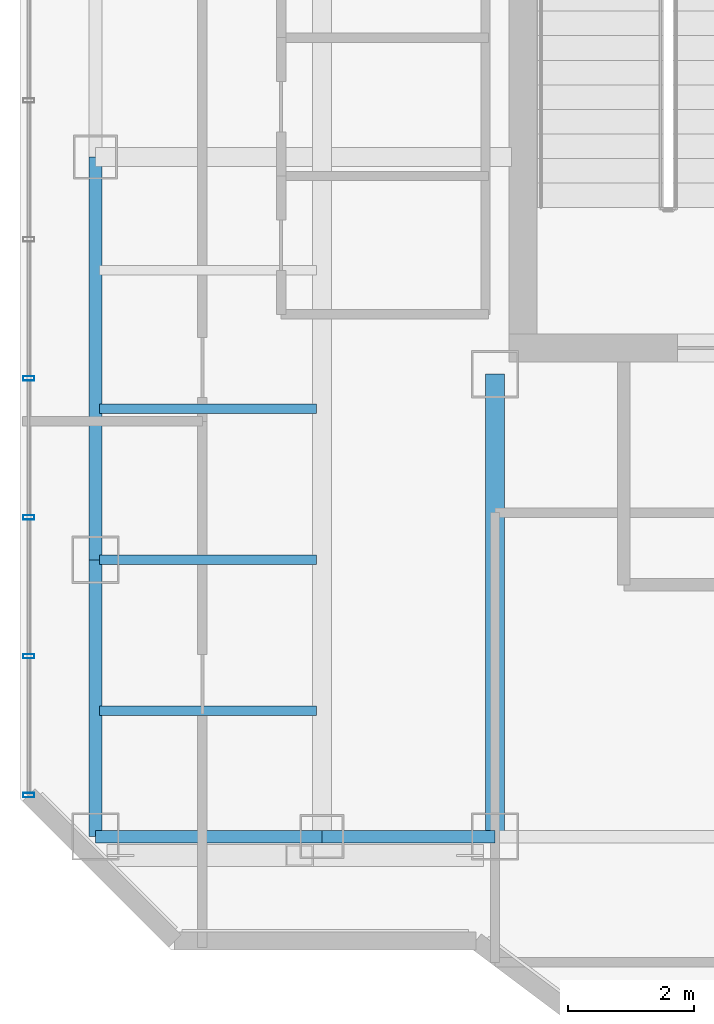
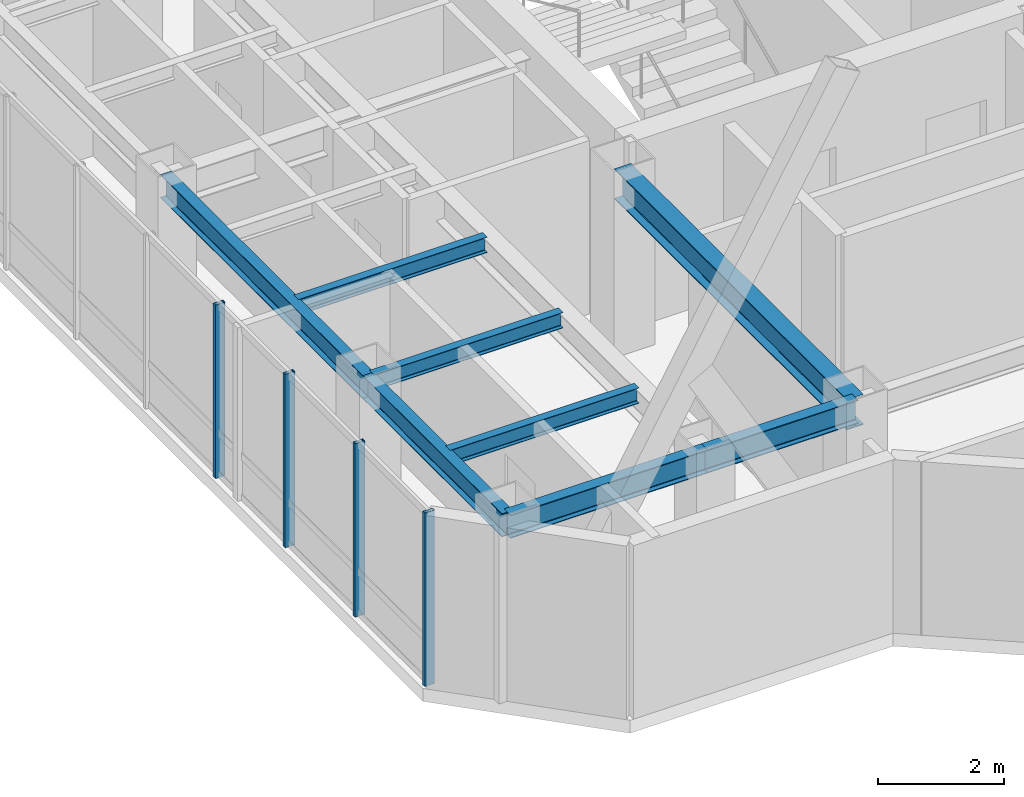
# One storey, part 4 of 24: 8 beams, 4 members, 1 element without a shape of its own.
"""IFC4 building model written with IfcOpenShell, lengths in metres."""

from ifc_helpers import new_model, si_unit, direction, frame, origin, origin_2d, place, context, subcontext, project, spatial, hollow_rectangle, i_section, extrude, material, layer, layer_set, material_profile, profile_set, type_object, element, aggregate, save


model = new_model("IFC4")

# Units and contexts
model_context = context("Model", 3, precision=1e-05, world=origin(), true_north=direction((0.0, 1.0)))
body_context = subcontext(model_context, "Body", "Model", "MODEL_VIEW")
ifc_project = project(units=[si_unit("LENGTHUNIT", "METRE"), si_unit("AREAUNIT", "SQUARE_METRE"), si_unit("VOLUMEUNIT", "CUBIC_METRE"), si_unit("PLANEANGLEUNIT", "RADIAN"), si_unit("MASSUNIT", "GRAM", prefix="KILO")], contexts=[model_context])

# Site, building, storey
site_placement = place(None, origin())
site = spatial("IfcSite", under=ifc_project, at=site_placement, CompositionType="ELEMENT")
building_placement = place(site_placement, origin())
building = spatial("IfcBuilding", under=site, at=building_placement, Name="Hatsunagi Terrace Concourse", CompositionType="ELEMENT")
storey_placement = place(building_placement, frame((0.0, 0.0, 202.35009765625)))
storey = spatial("IfcBuildingStorey", under=building, at=storey_placement, Name="L53", CompositionType="ELEMENT", Elevation=202.35009765625)

# Curtain wall, members
ifc_material_1 = material(Name="Anodised Aluminium Alloy 6063-T5", Category="aluminium")
ifc_layer = layer(ifc_material_1, 0.199951171875)
ifc_layer_set = layer_set([ifc_layer], Name="OfficeZone2_CW04")
curtain_wall_type = type_object("IfcCurtainWallType", Name="OfficeZone2_CW04", PredefinedType="NOTDEFINED", material=ifc_layer_set)
curtain_wall_placement = place(storey_placement, origin())
curtain_wall = element("IfcCurtainWall", 1, at=curtain_wall_placement, inside=storey, type_object=curtain_wall_type, Name="Unitised Curtain Wall CW-04 CW-L53-08", PredefinedType="NOTDEFINED")
ifc_material_2 = material(Name="Anodised Aluminium Alloy 6063-T5", Category="aluminium")
ifc_material_profile_1 = material_profile(ifc_material_2, hollow_rectangle(XDim=0.070068359375, YDim=0.179931640625, WallThickness=0.00390625, at=origin_2d()), Name="ALU-MUL-180x70x4")
ifc_profile_set_1 = profile_set([ifc_material_profile_1], Name="Anodised Aluminium Alloy 6063-T5")
member_type = type_object("IfcMemberType", Name="CurtainWallMullion_180x70", PredefinedType="MULLION", material=ifc_profile_set_1)
member_1_placement = place(storey_placement, frame((18.139892578125, 25.85791015625, 0.0), z_axis=(0.0, 0.0, 1.0), x_axis=(0.0, 1.0, 0.0)))
member_1 = element("IfcMember", 2, at=member_1_placement, type_object=member_type, Name="Curtain Wall Mullion MUL-02", PredefinedType="MULLION", context=body_context, shape_type="SweptSolid", body=[
    extrude(hollow_rectangle(XDim=0.070068359375, YDim=0.179931640625, WallThickness=0.00390625, at=origin_2d()), origin(), (0.0, 0.0, 1.0), 3.349853515625),
])
member_2_placement = place(storey_placement, frame((18.139892578125, 28.06591796875, 0.0), z_axis=(0.0, 0.0, 1.0), x_axis=(0.0, 1.0, 0.0)))
member_2 = element("IfcMember", 3, at=member_2_placement, type_object=member_type, Name="Curtain Wall Mullion MUL-02", PredefinedType="MULLION", context=body_context, shape_type="SweptSolid", body=[
    extrude(hollow_rectangle(XDim=0.070068359375, YDim=0.179931640625, WallThickness=0.00390625, at=origin_2d()), origin(), (0.0, 0.0, 1.0), 3.349853515625),
])
member_3_placement = place(storey_placement, frame((18.139892578125, 30.27490234375, 0.0), z_axis=(0.0, 0.0, 1.0), x_axis=(0.0, 1.0, 0.0)))
member_3 = element("IfcMember", 4, at=member_3_placement, type_object=member_type, Name="Curtain Wall Mullion MUL-02", PredefinedType="MULLION", context=body_context, shape_type="SweptSolid", body=[
    extrude(hollow_rectangle(XDim=0.070068359375, YDim=0.179931640625, WallThickness=0.00390625, at=origin_2d()), origin(), (0.0, 0.0, 1.0), 3.349853515625),
])
member_4_placement = place(storey_placement, frame((18.139892578125, 32.48291015625, 0.0), z_axis=(0.0, 0.0, 1.0), x_axis=(0.0, 1.0, 0.0)))
member_4 = element("IfcMember", 5, at=member_4_placement, type_object=member_type, Name="Curtain Wall Mullion MUL-02", PredefinedType="MULLION", context=body_context, shape_type="SweptSolid", body=[
    extrude(hollow_rectangle(XDim=0.070068359375, YDim=0.179931640625, WallThickness=0.00390625, at=origin_2d()), origin(), (0.0, 0.0, 1.0), 3.349853515625),
])
aggregate(curtain_wall, [member_1, member_2, member_3, member_4])

# Beams
ifc_material_3 = material(Name="Steel SN490B", Category="steel")
ifc_material_profile_2 = material_profile(ifc_material_3, i_section(OverallWidth=0.300048828125, OverallDepth=0.587890625, WebThickness=0.011962890625, FlangeThickness=0.02001953125, FilletRadius=0.01806640625, at=origin_2d()), Name="H-588x300x12x20")
ifc_profile_set_2 = profile_set([ifc_material_profile_2], Name="Steel SN490B")
beam_type_1 = type_object("IfcBeamType", Name="OfficeHighGirder_H_588x300", PredefinedType="BEAM", material=ifc_profile_set_2)
beam_1_placement = place(storey_placement, frame((25.550048828125, 25.199951171875, 3.055908203125), z_axis=(0.0, 1.0, 0.0), x_axis=(-1.0, 0.0, 0.0)))
element("IfcBeam", 6, at=beam_1_placement, inside=storey, type_object=beam_type_1, Name="Beam G-06 BM-L53-K1CA", PredefinedType="BEAM", context=body_context, shape_type="SweptSolid", body=[
    extrude(i_section(OverallWidth=0.300048828125, OverallDepth=0.587890625, WebThickness=0.011962890625, FlangeThickness=0.02001953125, FilletRadius=0.01806640625, at=origin_2d()), origin(), (0.0, 0.0, 1.0), 7.35009765625),
])
ifc_material_4 = material(Name="Steel SN490B", Category="steel")
ifc_material_profile_3 = material_profile(ifc_material_4, i_section(OverallWidth=0.14990234375, OverallDepth=0.300048828125, WebThickness=0.006591796875, FlangeThickness=0.009033203125, FilletRadius=0.010986328125, at=origin_2d()), Name="H-300x150x6.5x9")
ifc_profile_set_3 = profile_set([ifc_material_profile_3], Name="Steel SN490B")
beam_type_2 = type_object("IfcBeamType", Name="OfficeJoist_H_300x150", PredefinedType="JOIST", material=ifc_profile_set_3)
for number, where, z_axis, x_axis, name in (
    (7, (19.264892578125, 27.199951171875, 3.199951171875), (1.0, 0.0, 0.0), (0.0, 1.0, 0.0), "Beam J-03 J-L53-W-19-272"),
    (8, (19.264892578125, 29.60009765625, 3.199951171875), (1.0, 0.0, 0.0), (0.0, 1.0, 0.0), "Beam J-03 J-L53-W-19-296"),
    (9, (19.264892578125, 32.0, 3.199951171875), (1.0, 0.0, 0.0), (0.0, 1.0, 0.0), "Beam J-03 J-L53-W-19-320"),
):
    element("IfcBeam", number, at=place(storey_placement, frame(where, z_axis=z_axis, x_axis=x_axis)), inside=storey, type_object=beam_type_2, Name=name, PredefinedType="JOIST", context=body_context, shape_type="SweptSolid", body=[
        extrude(i_section(OverallWidth=0.14990234375, OverallDepth=0.300048828125, WebThickness=0.006591796875, FlangeThickness=0.009033203125, FilletRadius=0.010986328125, at=origin_2d()), origin(), (0.0, 0.0, 1.0), 3.4501953125),
    ])
ifc_material_5 = material(Name="Steel SN490B", Category="steel")
ifc_material_profile_4 = material_profile(ifc_material_5, i_section(OverallWidth=0.199951171875, OverallDepth=0.449951171875, WebThickness=0.009033203125, FlangeThickness=0.013916015625, FilletRadius=0.01611328125, at=origin_2d()), Name="H-450x200x9x14")
ifc_profile_set_4 = profile_set([ifc_material_profile_4], Name="Steel SN490B")
beam_type_3 = type_object("IfcBeamType", Name="PerimeterSpandrel_H_450x200", PredefinedType="SPANDREL", material=ifc_profile_set_4)
beam_2_placement = place(storey_placement, frame((19.199951171875, 25.199951171875, 3.125), z_axis=(1.0, 0.0, 0.0), x_axis=(0.0, 1.0, 0.0)))
element("IfcBeam", 10, at=beam_2_placement, inside=storey, type_object=beam_type_3, Name="Beam SP-02 BM-L53-WS-19", PredefinedType="SPANDREL", context=body_context, shape_type="SweptSolid", body=[
    extrude(i_section(OverallWidth=0.199951171875, OverallDepth=0.449951171875, WebThickness=0.009033203125, FlangeThickness=0.013916015625, FilletRadius=0.01611328125, at=origin_2d()), origin(), (0.0, 0.0, 1.0), 3.60009765625),
])
beam_3_placement = place(storey_placement, frame((22.800048828125, 25.199951171875, 3.125), z_axis=(1.0, 0.0, 0.0), x_axis=(0.0, 1.0, 0.0)))
element("IfcBeam", 11, at=beam_3_placement, inside=storey, type_object=beam_type_3, Name="Beam SP-02 BM-L53-WS-22", PredefinedType="SPANDREL", context=body_context, shape_type="SweptSolid", body=[
    extrude(i_section(OverallWidth=0.199951171875, OverallDepth=0.449951171875, WebThickness=0.009033203125, FlangeThickness=0.013916015625, FilletRadius=0.01611328125, at=origin_2d()), origin(), (0.0, 0.0, 1.0), 2.75),
])
beam_4_placement = place(storey_placement, frame((19.199951171875, 25.199951171875, 3.125), z_axis=(0.0, 1.0, 0.0), x_axis=(-1.0, 0.0, 0.0)))
element("IfcBeam", 12, at=beam_4_placement, inside=storey, type_object=beam_type_3, Name="Beam SP-02 BM-L53-NS-19-25", PredefinedType="SPANDREL", context=body_context, shape_type="SweptSolid", body=[
    extrude(i_section(OverallWidth=0.199951171875, OverallDepth=0.449951171875, WebThickness=0.009033203125, FlangeThickness=0.013916015625, FilletRadius=0.01611328125, at=origin_2d()), origin(), (0.0, 0.0, 1.0), 4.400146484375),
])
beam_5_placement = place(storey_placement, frame((19.199951171875, 29.60009765625, 3.125), z_axis=(0.0, 1.0, 0.0), x_axis=(-1.0, 0.0, 0.0)))
element("IfcBeam", 13, at=beam_5_placement, inside=storey, type_object=beam_type_3, Name="Beam SP-02 BM-L53-NS-19-29", PredefinedType="SPANDREL", context=body_context, shape_type="SweptSolid", body=[
    extrude(i_section(OverallWidth=0.199951171875, OverallDepth=0.449951171875, WebThickness=0.009033203125, FlangeThickness=0.013916015625, FilletRadius=0.01611328125, at=origin_2d()), origin(), (0.0, 0.0, 1.0), 6.39990234375),
])

save(model, "model.ifc")
